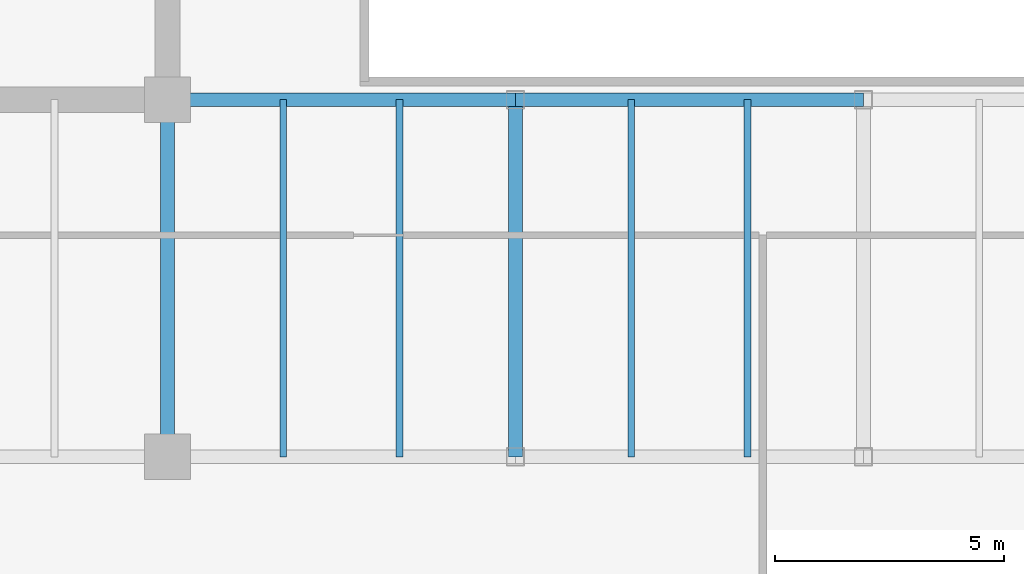
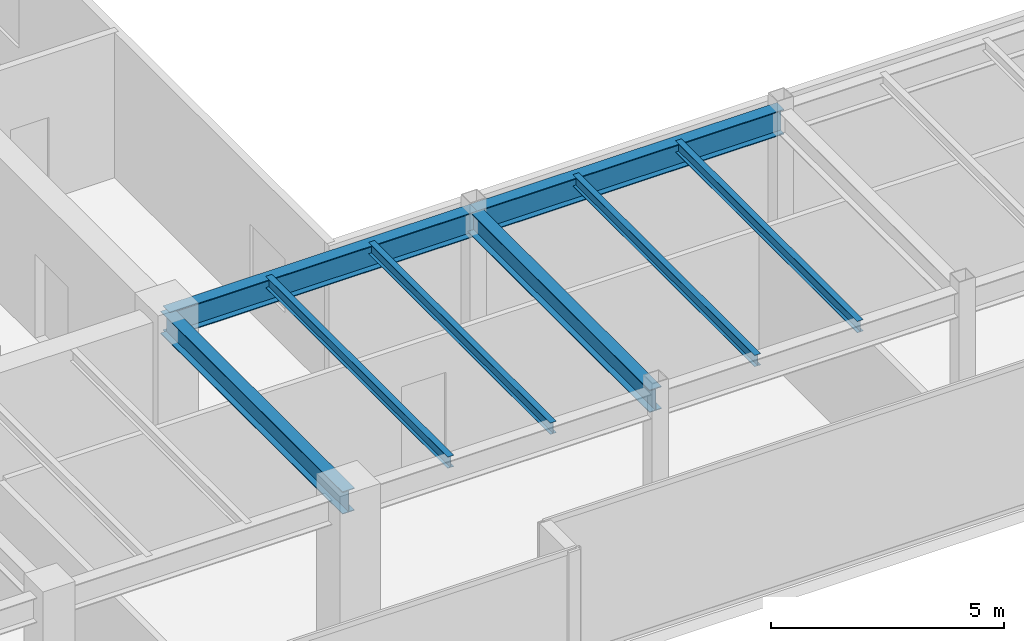
# One storey, part 8 of 33: 8 beams.
"""IFC4 building model written with IfcOpenShell, lengths in metres."""

from ifc_helpers import new_model, si_unit, direction, frame, origin, origin_2d, place, context, subcontext, project, spatial, i_section, extrude, source, transform, mapped, material, material_profile, profile_set, type_object, type_shapes, element, save


model = new_model("IFC4")

# Units and contexts
model_context = context("Model", 3, precision=1e-05, world=origin(), true_north=direction((0.0, 1.0)))
body_context = subcontext(model_context, "Body", "Model", "MODEL_VIEW")
ifc_project = project(units=[si_unit("LENGTHUNIT", "METRE"), si_unit("AREAUNIT", "SQUARE_METRE"), si_unit("VOLUMEUNIT", "CUBIC_METRE"), si_unit("PLANEANGLEUNIT", "RADIAN"), si_unit("MASSUNIT", "GRAM", prefix="KILO")], contexts=[model_context])

# Site, building, storey
site_placement = place(None, origin())
site = spatial("IfcSite", under=ifc_project, at=site_placement, CompositionType="ELEMENT")
building_placement = place(site_placement, origin())
building = spatial("IfcBuilding", under=site, at=building_placement, Name="Haelvirn Gate Laboratories", CompositionType="ELEMENT")
storey_placement = place(building_placement, frame((0.0, 0.0, 217.800048828125)))
storey = spatial("IfcBuildingStorey", under=building, at=storey_placement, Name="L52", CompositionType="ELEMENT", Elevation=217.800048828125)

# Beams
ifc_material = material(Name="Steel SM355", Category="steel")
ifc_material_profile_1 = material_profile(ifc_material, i_section(OverallWidth=0.14990234375, OverallDepth=0.300048828125, WebThickness=0.006591796875, FlangeThickness=0.009033203125, at=origin_2d()), Name="H-300x150x6.5x9")
ifc_profile_set_1 = profile_set([ifc_material_profile_1], Name="Steel SM355")
beam_type_1 = type_object("IfcBeamType", Name="BM-J-300", PredefinedType="JOIST", material=ifc_profile_set_1)
shared_shape_1 = source(origin(), body_context, "Body", "SweptSolid", [
    extrude(i_section(OverallWidth=0.14990234375, OverallDepth=0.300048828125, WebThickness=0.006591796875, FlangeThickness=0.009033203125, at=origin_2d()), origin(), (0.0, 0.0, 1.0), 7.800048828125),
])
type_shapes(beam_type_1, [shared_shape_1])
for number, where, z_axis, x_axis, name in (
    (1, (24.72998046875, 7.0, 3.64990234375), (0.0, 1.0, 0.0), (-1.0, 0.0, 0.0), "L52 Composite Lab Joist South X24.73"),
    (2, (27.27001953125, 7.0, 3.64990234375), (0.0, 1.0, 0.0), (-1.0, 0.0, 0.0), "L52 Composite Lab Joist South X27.27"),
    (3, (32.330078125, 7.0, 3.64990234375), (0.0, 1.0, 0.0), (-1.0, 0.0, 0.0), "L52 Composite Lab Joist South X32.33"),
    (4, (34.8701171875, 7.0, 3.64990234375), (0.0, 1.0, 0.0), (-1.0, 0.0, 0.0), "L52 Composite Lab Joist South X34.87"),
):
    element("IfcBeam", number, at=place(storey_placement, frame(where, z_axis=z_axis, x_axis=x_axis)), inside=storey, type_object=beam_type_1, Name=name, PredefinedType="JOIST", context=body_context, shape_type="MappedRepresentation", body=[
        mapped(shared_shape_1, transform((0.0, 0.0, 0.0), scale=1.0)),
    ])
ifc_material_profile_2 = material_profile(ifc_material, i_section(OverallWidth=0.300048828125, OverallDepth=0.587890625, WebThickness=0.011962890625, FlangeThickness=0.02001953125, at=origin_2d()), Name="H-588x300x12x20")
ifc_profile_set_2 = profile_set([ifc_material_profile_2], Name="Steel SM355")
beam_type_2 = type_object("IfcBeamType", Name="BM-G-588", PredefinedType="BEAM", material=ifc_profile_set_2)
shared_shape_2 = source(origin(), body_context, "Body", "SweptSolid", [
    extrude(i_section(OverallWidth=0.300048828125, OverallDepth=0.587890625, WebThickness=0.011962890625, FlangeThickness=0.02001953125, at=origin_2d()), origin(), (0.0, 0.0, 1.0), 7.800048828125),
])
type_shapes(beam_type_2, [shared_shape_2])
for number, where, z_axis, x_axis, name in (
    (5, (22.199951171875, 7.0, 3.505859375), (0.0, 1.0, 0.0), (-1.0, 0.0, 0.0), "L52 Frame Girder X22.2 (7.0-14.8)"),
    (6, (29.800048828125, 7.0, 3.505859375), (0.0, 1.0, 0.0), (-1.0, 0.0, 0.0), "L52 Frame Girder X29.8 (7.0-14.8)"),
):
    element("IfcBeam", number, at=place(storey_placement, frame(where, z_axis=z_axis, x_axis=x_axis)), inside=storey, type_object=beam_type_2, Name=name, PredefinedType="BEAM", context=body_context, shape_type="MappedRepresentation", body=[
        mapped(shared_shape_2, transform((0.0, 0.0, 0.0), scale=1.0)),
    ])
ifc_material_profile_3 = material_profile(ifc_material, i_section(OverallWidth=0.300048828125, OverallDepth=0.64990234375, WebThickness=0.012939453125, FlangeThickness=0.02197265625, at=origin_2d()), Name="H-650x300x13x22")
ifc_profile_set_3 = profile_set([ifc_material_profile_3], Name="Steel SM355")
beam_type_3 = type_object("IfcBeamType", Name="BM-G-650", PredefinedType="BEAM", material=ifc_profile_set_3)
shared_shape_3 = source(origin(), body_context, "Body", "SweptSolid", [
    extrude(i_section(OverallWidth=0.300048828125, OverallDepth=0.64990234375, WebThickness=0.012939453125, FlangeThickness=0.02197265625, at=origin_2d()), origin(), (0.0, 0.0, 1.0), 7.60009765625),
])
beam_1_placement = place(storey_placement, frame((22.199951171875, 14.800048828125, 3.474853515625), z_axis=(1.0, 0.0, 0.0), x_axis=(0.0, 1.0, 0.0)))
element("IfcBeam", 7, at=beam_1_placement, inside=storey, type_object=beam_type_3, Name="L52 Primary Girder Y14.8 (22.2-29.8)", PredefinedType="BEAM", context=body_context, shape_type="MappedRepresentation", body=[
    mapped(shared_shape_3, transform((0.0, 0.0, 0.0), scale=1.0)),
])
shared_shape_4 = source(origin(), body_context, "Body", "SweptSolid", [
    extrude(i_section(OverallWidth=0.300048828125, OverallDepth=0.64990234375, WebThickness=0.012939453125, FlangeThickness=0.02197265625, at=origin_2d()), origin(), (0.0, 0.0, 1.0), 7.599853515625),
])
type_shapes(beam_type_3, [shared_shape_3, shared_shape_4])
beam_2_placement = place(storey_placement, frame((29.800048828125, 14.800048828125, 3.474853515625), z_axis=(1.0, 0.0, 0.0), x_axis=(0.0, 1.0, 0.0)))
element("IfcBeam", 8, at=beam_2_placement, inside=storey, type_object=beam_type_3, Name="L52 Primary Girder Y14.8 (29.8-37.4)", PredefinedType="BEAM", context=body_context, shape_type="MappedRepresentation", body=[
    mapped(shared_shape_4, transform((0.0, 0.0, 0.0), scale=1.0)),
])

save(model, "model.ifc")
